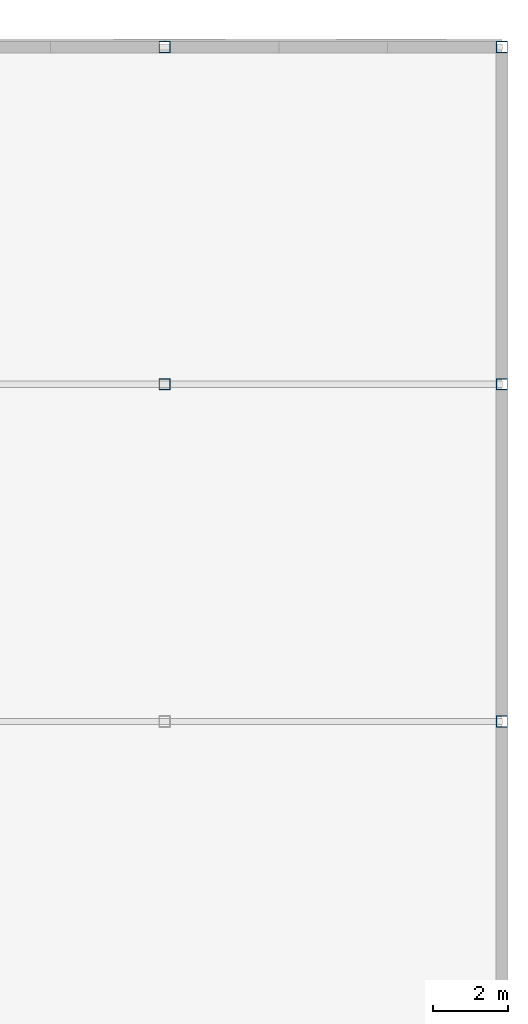
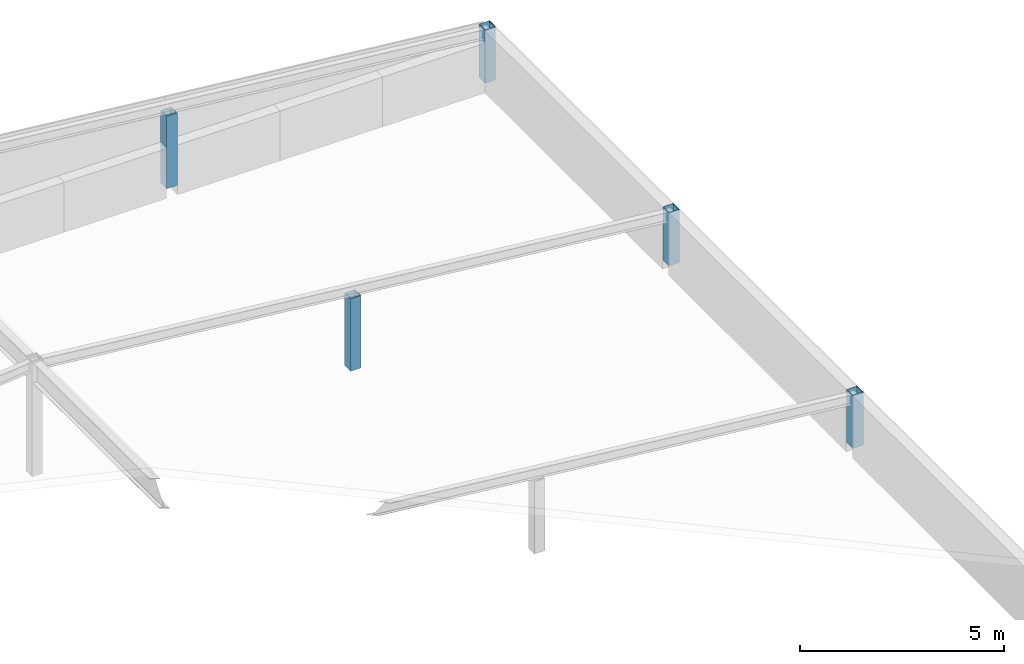
# One storey, part 21 of 84: 5 columns.
"""IFC4 building model written with IfcOpenShell, lengths in metres."""

from ifc_helpers import new_model, si_unit, direction, frame, origin, origin_2d, place, context, subcontext, project, spatial, hollow_rectangle, extrude, material, material_profile, profile_set, type_object, element, save


model = new_model("IFC4")

# Units and contexts
model_context = context("Model", 3, precision=1e-05, world=origin(), true_north=direction((0.0, 1.0)))
body_context = subcontext(model_context, "Body", "Model", "MODEL_VIEW")
ifc_project = project(units=[si_unit("LENGTHUNIT", "METRE"), si_unit("AREAUNIT", "SQUARE_METRE"), si_unit("VOLUMEUNIT", "CUBIC_METRE"), si_unit("PLANEANGLEUNIT", "RADIAN"), si_unit("MASSUNIT", "GRAM", prefix="KILO")], contexts=[model_context])

# Site, building, storey
site_placement = place(None, origin())
site = spatial("IfcSite", under=ifc_project, at=site_placement, CompositionType="ELEMENT")
building_placement = place(site_placement, origin())
building = spatial("IfcBuilding", under=site, at=building_placement, Name="Glasvene Arena", CompositionType="ELEMENT")
storey_placement = place(building_placement, frame((0.0, 0.0, 10.199951171875)))
storey = spatial("IfcBuildingStorey", under=building, at=storey_placement, Name="L02", CompositionType="ELEMENT", Elevation=10.199951171875)

# Columns
ifc_material = material(Name="Steel S355J2", Category="steel")
ifc_material_profile = material_profile(ifc_material, hollow_rectangle(XDim=0.300048828125, YDim=0.300048828125, WallThickness=0.012451171875, at=origin_2d()), Name="SHS 300x300x12.5")
ifc_profile_set = profile_set([ifc_material_profile], Name="Steel S355J2")
column_type = type_object("IfcColumnType", Name="COL-W-SHS300", PredefinedType="COLUMN", material=ifc_profile_set)
for number, where, z_axis, x_axis, name in (
    (1, (174.0, 100.0, 0.0), (0.0, 0.0, 1.0), (1.0, 0.0, 0.0), "Wing roof eave post V5-E-11"),
    (2, (174.0, 109.0, 0.0), (0.0, 0.0, 1.0), (1.0, 0.0, 0.0), "Wing roof eave post V5-E-12"),
    (3, (174.0, 118.0, 0.0), (0.0, 0.0, 1.0), (1.0, 0.0, 0.0), "Wing roof eave post V5-E-13"),
):
    element("IfcColumn", number, at=place(storey_placement, frame(where, z_axis=z_axis, x_axis=x_axis)), inside=storey, type_object=column_type, Name=name, PredefinedType="COLUMN", context=body_context, shape_type="SweptSolid", body=[
        extrude(hollow_rectangle(XDim=0.300048828125, YDim=0.300048828125, WallThickness=0.012451171875, at=origin_2d()), origin(), (0.0, 0.0, 1.0), 1.590087890625),
    ])
for number, where, z_axis, x_axis, name in (
    (4, (165.0, 109.0, 0.0), (0.0, 0.0, 1.0), (1.0, 0.0, 0.0), "Wing roof rafter post V5-GY109-18"),
    (5, (165.0, 118.0, 0.0), (0.0, 0.0, 1.0), (1.0, 0.0, 0.0), "Wing roof rafter post V5-GN-18"),
):
    element("IfcColumn", number, at=place(storey_placement, frame(where, z_axis=z_axis, x_axis=x_axis)), inside=storey, type_object=column_type, Name=name, PredefinedType="COLUMN", context=body_context, shape_type="SweptSolid", body=[
        extrude(hollow_rectangle(XDim=0.300048828125, YDim=0.300048828125, WallThickness=0.012451171875, at=origin_2d()), origin(), (0.0, 0.0, 1.0), 2.163330078125),
    ])

save(model, "model.ifc")
